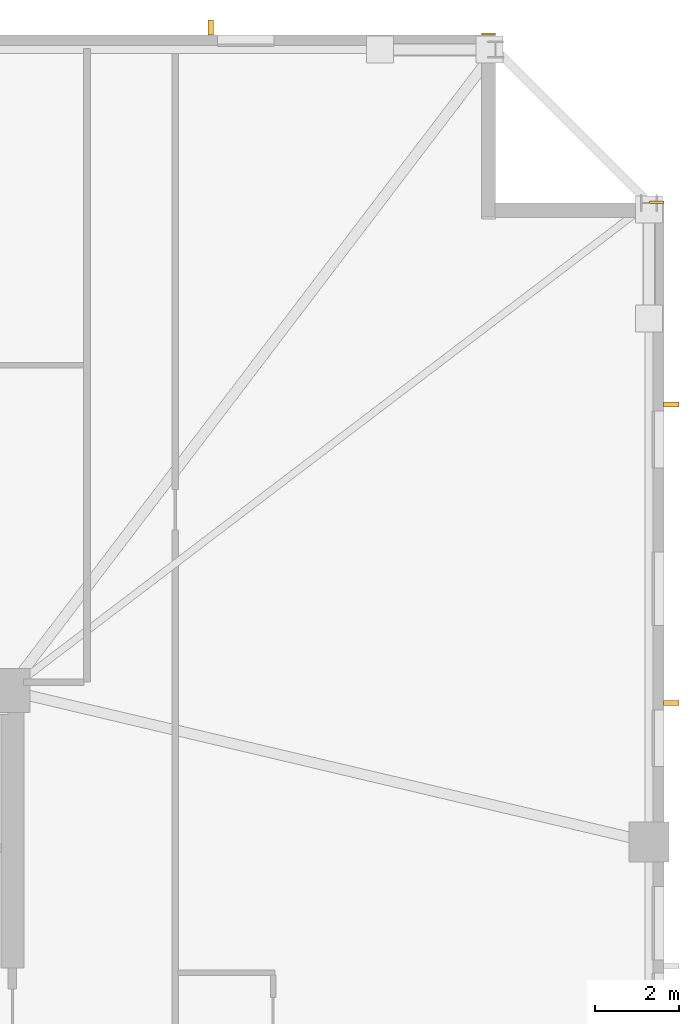
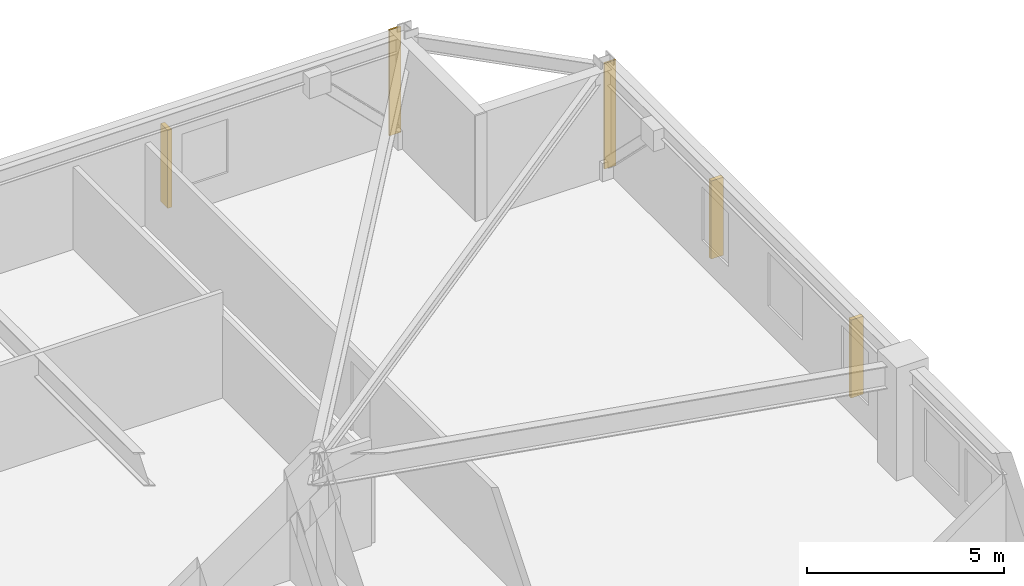
# One storey, part 11 of 11: 3 shading devices, 2 coverings.
"""IFC4 building model written with IfcOpenShell, lengths in metres."""

from ifc_helpers import new_model, si_unit, direction, frame, frame_2d, origin, origin_2d, place, context, subcontext, project, spatial, rectangle, extrude, material, layer, layer_set, type_object, element, save


model = new_model("IFC4")

# Units and contexts
model_context = context("Model", 3, precision=1e-05, world=origin(), true_north=direction((0.0, 1.0)))
body_context = subcontext(model_context, "Body", "Model", "MODEL_VIEW")
ifc_project = project(units=[si_unit("LENGTHUNIT", "METRE"), si_unit("AREAUNIT", "SQUARE_METRE"), si_unit("VOLUMEUNIT", "CUBIC_METRE"), si_unit("PLANEANGLEUNIT", "RADIAN"), si_unit("MASSUNIT", "GRAM", prefix="KILO")], contexts=[model_context])

# Site, building, storey
site_placement = place(None, origin())
site = spatial("IfcSite", under=ifc_project, at=site_placement, CompositionType="ELEMENT")
building_placement = place(site_placement, origin())
building = spatial("IfcBuilding", under=site, at=building_placement, Name="Cairnveth Concourse Tower", CompositionType="ELEMENT")
storey_placement = place(building_placement, frame((0.0, 0.0, 141.0)))
storey = spatial("IfcBuildingStorey", under=building, at=storey_placement, Name="L38", CompositionType="ELEMENT", Elevation=141.0)

# Coverings
ifc_material_1 = material(Name="Dressed Melbourne Bluestone Cladding", Category="masonry")
ifc_layer = layer(ifc_material_1, 0.050048828125)
ifc_layer_set = layer_set([ifc_layer], Name="Dressed Melbourne Bluestone Cladding")
covering_type = type_object("IfcCoveringType", Name="DRESSED BLUESTONE PLINTH CLADDING 50", PredefinedType="CLADDING", material=ifc_layer_set)
for number, where, z_axis, x_axis, name in (
    (1, (71.659912109375, 63.02001953125, 0.0), (0.0, 0.0, 1.0), (1.0, 0.0, 0.0), "Melbourne Bluestone Corner Quoin L38-554"),
    (2, (75.659912109375, 59.02001953125, 0.0), (0.0, 0.0, 1.0), (1.0, 0.0, 0.0), "Melbourne Bluestone Corner Quoin L38-556"),
):
    element("IfcCovering", number, at=place(storey_placement, frame(where, z_axis=z_axis, x_axis=x_axis)), inside=storey, type_object=covering_type, Name=name, PredefinedType="CLADDING", context=body_context, shape_type="SweptSolid", body=[
        extrude(rectangle(XDim=0.340087890625, YDim=0.050048828125, at=frame_2d((0.169921875, 0.0))), origin(), (0.0, 0.0, 1.0), 3.280029296875),
    ])

# Shading devices
ifc_material_2 = material(Name="Architectural Bronze Anodised Aluminium 6063-T6", Category="aluminium")
shading_device_type = type_object("IfcShadingDeviceType", Name="GOTHIC BRONZE VERTICAL LANCET FIN", PredefinedType="USERDEFINED", material=ifc_material_2)
for number, where, z_axis, x_axis, name in (
    (3, (65.22021484375, 63.175048828125, 0.030029296875), (0.0, 0.0, 1.0), (1.0, 0.0, 0.0), "Gothic Bronze Vertical Fin L38-6-9"),
    (4, (76.175048828125, 54.208251953125, 0.030029296875), (0.0, 0.0, 1.0), (0.0, 1.0, 0.0), "Gothic Bronze Vertical Fin L38-9-1"),
    (5, (76.175048828125, 47.10107421875, 0.030029296875), (0.0, 0.0, 1.0), (0.0, 1.0, 0.0), "Gothic Bronze Vertical Fin L38-9-3"),
):
    element("IfcShadingDevice", number, at=place(storey_placement, frame(where, z_axis=z_axis, x_axis=x_axis)), inside=storey, type_object=shading_device_type, Name=name, ObjectType="VERTICAL FIN", PredefinedType="USERDEFINED", context=body_context, shape_type="SweptSolid", body=[
        extrude(rectangle(XDim=0.1201171875, YDim=0.360107421875, at=origin_2d()), origin(), (0.0, 0.0, 1.0), 2.419921875),
    ])

save(model, "model.ifc")
